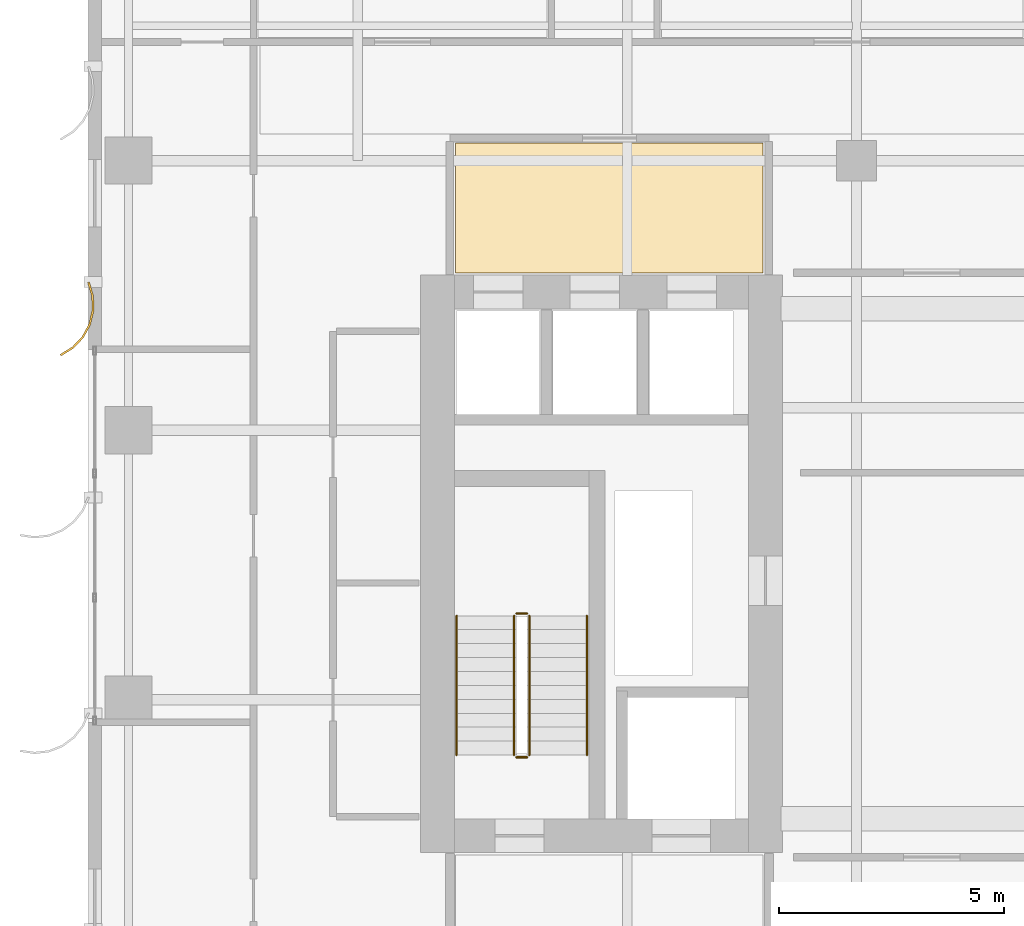
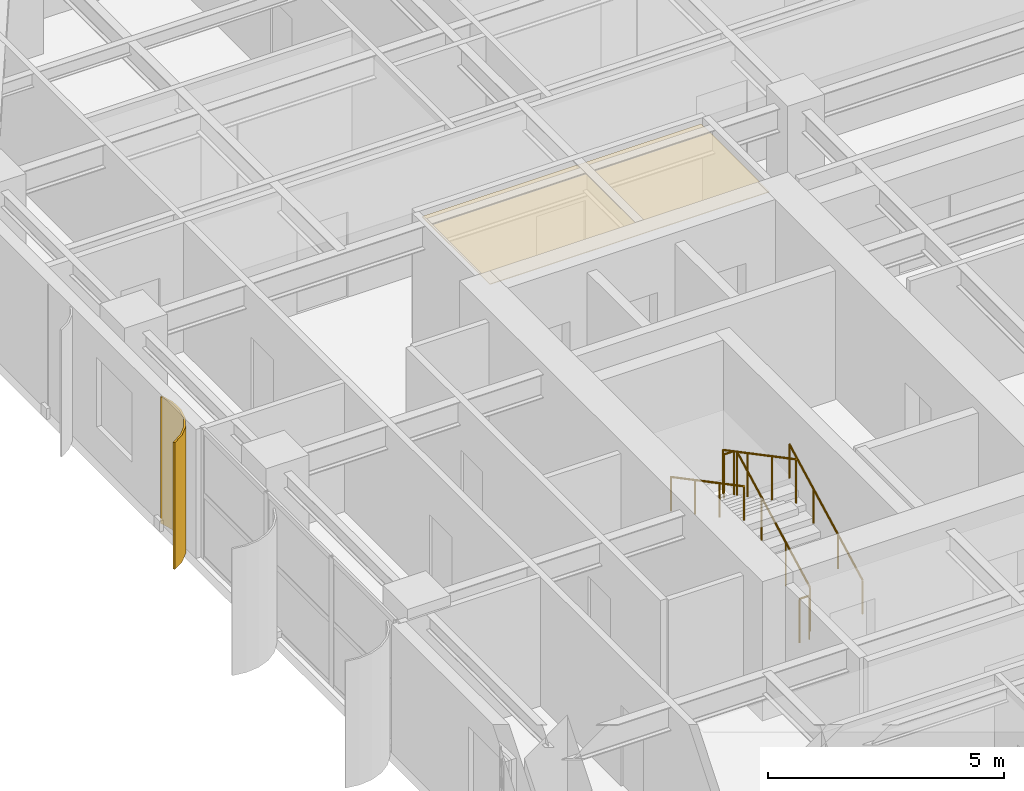
# One storey, part 20 of 22: 6 railings, 1 covering, 1 shading device.
"""IFC4 building model written with IfcOpenShell, lengths in metres."""

import ifcopenshell
import ifcopenshell.guid

model = None  # the IFC model being written
_history = None  # IfcOwnerHistory: only IFC2X3 demands one
_inside = {}  # id of a spatial element -> (the spatial element, [elements in it])
_under = {}  # id of a project, library or spatial element -> (it, [spatial elements below it])
_declared = {}  # id of a project -> (the project, [libraries it declares])
_typed = {}  # id of a type object -> (the type object, [elements of that type])
_made_of = {}  # id of a material, layer set ... -> (it, [elements and type objects made of it])


def new_model(schema):
    """Start an empty IFC model of exactly this schema.

    Asked for "IFC4X3", IfcOpenShell would pick the latest addendum, in which some entities
    have other attributes; the version numbers below select the first issue.
    IFC2X3 requires an IfcOwnerHistory on every rooted entity: one is made here for all.
    """
    global model, _history
    if schema == "IFC4X3":
        model = ifcopenshell.file(schema_version=(4, 3, 0, 0))
    else:
        model = ifcopenshell.file(schema=schema)
    _inside.clear()
    _under.clear()
    _declared.clear()
    _typed.clear()
    _made_of.clear()
    _history = None
    if model.schema == "IFC2X3":
        org = make("IfcOrganization", Name="unknown")
        user = make(
            "IfcPersonAndOrganization",
            ThePerson=make("IfcPerson", FamilyName="unknown"),
            TheOrganization=org,
        )
        app = make(
            "IfcApplication",
            ApplicationDeveloper=org,
            Version="unknown",
            ApplicationFullName="unknown",
            ApplicationIdentifier="unknown",
        )
        _history = make(
            "IfcOwnerHistory",
            OwningUser=user,
            OwningApplication=app,
            ChangeAction="ADDED",
            CreationDate=0,
        )
    return model


def make(cls, **values):
    """One entity of the class cls with the attributes given. An attribute that is None is left unset."""
    return model.create_entity(
        cls, **{name: value for name, value in values.items() if value is not None}
    )


def rooted(cls, **values):
    """An entity with a GlobalId (a new one), such as an element, a storey or a relation."""
    return make(cls, GlobalId=ifcopenshell.guid.new(), OwnerHistory=_history, **values)


def si_unit(unit_type, name, prefix=None):
    """IfcSIUnit, for example si_unit("LENGTHUNIT", "METRE", prefix="MILLI")."""
    return make("IfcSIUnit", UnitType=unit_type, Prefix=prefix, Name=name)


def assignment(units):
    """IfcUnitAssignment: the units of a project."""
    return None if units is None else make("IfcUnitAssignment", Units=units)


def point(xyz):
    """IfcCartesianPoint."""
    return None if xyz is None else make("IfcCartesianPoint", Coordinates=xyz)


def direction(xyz):
    """IfcDirection."""
    return None if xyz is None else make("IfcDirection", DirectionRatios=xyz)


def frame(location, z_axis=None, x_axis=None):
    """IfcAxis2Placement3D, a coordinate frame: its origin and axes. An axis left out is left unset."""
    return make(
        "IfcAxis2Placement3D",
        Location=point(location),
        Axis=direction(z_axis),
        RefDirection=direction(x_axis),
    )


def frame_2d(location, x_axis=None):
    """IfcAxis2Placement2D, a coordinate frame in the plane: its origin and x axis."""
    return make(
        "IfcAxis2Placement2D", Location=point(location), RefDirection=direction(x_axis)
    )


def origin():
    """The frame at (0, 0, 0) with its axes left unset."""
    return frame((0.0, 0.0, 0.0))


def origin_2d():
    """The frame at (0, 0) in the plane with its x axis left unset."""
    return frame_2d((0.0, 0.0))


def place(relative_to, where):
    """IfcLocalPlacement: puts the frame where relative to a parent placement (None: the world)."""
    return make(
        "IfcLocalPlacement", PlacementRelTo=relative_to, RelativePlacement=where
    )


def context(
    kind, dimensions, precision=None, world=None, true_north=None, identifier=None
):
    """IfcGeometricRepresentationContext, for example the 3D "Model" context."""
    return make(
        "IfcGeometricRepresentationContext",
        ContextIdentifier=identifier,
        ContextType=kind,
        CoordinateSpaceDimension=dimensions,
        Precision=precision,
        WorldCoordinateSystem=world,
        TrueNorth=true_north,
    )


def subcontext(parent, identifier, kind, view, scale=None):
    """IfcGeometricRepresentationSubContext, for example "Body" below "Model"."""
    return make(
        "IfcGeometricRepresentationSubContext",
        ContextIdentifier=identifier,
        ContextType=kind,
        ParentContext=parent,
        TargetScale=scale,
        TargetView=view,
    )


def project(units=None, contexts=None):
    """IfcProject with its units and contexts."""
    return rooted(
        "IfcProject",
        Name="project",
        RepresentationContexts=contexts,
        UnitsInContext=assignment(units),
    )


def spatial(cls, under=None, at=None, **own):
    """A site, building, storey or space (cls), placed at a placement, below another one or the project."""
    s = rooted(cls, ObjectPlacement=at, **own)
    if under is not None:
        _under.setdefault(under.id(), (under, []))[1].append(s)
    return s


def polyline(points):
    """IfcPolyline through the points."""
    return make("IfcPolyline", Points=[point(p) for p in points])


def profile(cls, at=None, kind="AREA", **sizes):
    """A parametric profile (cls). Its sizes go by their IFC names, for example OverallWidth=200.0."""
    return make(cls, ProfileType=kind, Position=at, **sizes)


def circle(**sizes):
    """IfcCircleProfileDef."""
    return profile("IfcCircleProfileDef", **sizes)


def outline(outer, holes=None, kind="AREA"):
    """IfcArbitraryClosedProfileDef: a profile drawn as a closed curve; with holes, ...WithVoids."""
    if holes is None:
        return make("IfcArbitraryClosedProfileDef", ProfileType=kind, OuterCurve=outer)
    return make(
        "IfcArbitraryProfileDefWithVoids",
        ProfileType=kind,
        OuterCurve=outer,
        InnerCurves=holes,
    )


def extrude(swept, where, along, depth):
    """IfcExtrudedAreaSolid: the profile swept, set in the frame where, extruded along a direction by depth."""
    return make(
        "IfcExtrudedAreaSolid",
        SweptArea=swept,
        Position=where,
        ExtrudedDirection=direction(along),
        Depth=depth,
    )


def shape(context_of_items, identifier, shape_type, items):
    """IfcShapeRepresentation: the items that make up one representation, for example the "Body"."""
    return make(
        "IfcShapeRepresentation",
        ContextOfItems=context_of_items,
        RepresentationIdentifier=identifier,
        RepresentationType=shape_type,
        Items=items,
    )


def source(mapping_origin, context_of_items, identifier, shape_type, items):
    """IfcRepresentationMap: a shape defined once, which mapped items show again and again."""
    return make(
        "IfcRepresentationMap",
        MappingOrigin=mapping_origin,
        MappedRepresentation=shape(context_of_items, identifier, shape_type, items),
    )


def transform(
    local_origin,
    x_axis=None,
    y_axis=None,
    z_axis=None,
    scale=None,
    scale2=None,
    scale3=None,
    uniform=True,
):
    """IfcCartesianTransformationOperator3D, or its non-uniform kind. x_axis, y_axis, z_axis: its Axis1, 2, 3."""
    if uniform:
        return make(
            "IfcCartesianTransformationOperator3D",
            Axis1=direction(x_axis),
            Axis2=direction(y_axis),
            LocalOrigin=point(local_origin),
            Scale=scale,
            Axis3=direction(z_axis),
        )
    return make(
        "IfcCartesianTransformationOperator3DnonUniform",
        Axis1=direction(x_axis),
        Axis2=direction(y_axis),
        LocalOrigin=point(local_origin),
        Scale=scale,
        Axis3=direction(z_axis),
        Scale2=scale2,
        Scale3=scale3,
    )


def mapped(mapping_source, mapping_target):
    """IfcMappedItem: shows the shape of a source again, moved by a transform."""
    return make(
        "IfcMappedItem", MappingSource=mapping_source, MappingTarget=mapping_target
    )


def material(Name=None, Category=None):
    """IfcMaterial."""
    return make("IfcMaterial", Name=Name, Category=Category)


def layer(
    of_material, thickness, ventilated=None, Name=None, Category=None, Priority=None
):
    """IfcMaterialLayer: one layer of a wall or slab, of a material (None: an air gap)."""
    return make(
        "IfcMaterialLayer",
        Material=of_material,
        LayerThickness=thickness,
        IsVentilated=ventilated,
        Name=Name,
        Category=Category,
        Priority=Priority,
    )


def layer_set(layers, Name=None):
    """IfcMaterialLayerSet."""
    return make("IfcMaterialLayerSet", MaterialLayers=layers, LayerSetName=Name)


def made_of(thing, what):
    """Note that an element or type object is made of a material, layer set ...; save() writes the relation."""
    if what is not None:
        _made_of.setdefault(what.id(), (what, []))[1].append(thing)
    return thing


def type_object(cls, material=None, **own):
    """A type object (cls), such as IfcWallType, which elements share."""
    return made_of(rooted(cls, **own), material)


def element(
    cls,
    number,
    at=None,
    inside=None,
    cuts=None,
    type_object=None,
    material=None,
    context=None,
    identifier="Body",
    shape_type=None,
    held_by="IfcProductDefinitionShape",
    body=None,
    shapes=None,
    **own,
):
    """One element of the class cls, such as IfcWall. Its Tag is "e" and its number.

    at: its placement. inside: the storey or other place that contains it. cuts: it is an
    opening in that element (IfcRelVoidsElement). A single representation is given by context,
    identifier, shape_type and body (its items); several are given by shapes. held_by: the class
    of the entity that holds the representations. save() writes the other relations.
    """
    e = rooted(cls, Tag="e%d" % number, ObjectPlacement=at, **own)
    if body is not None:
        shapes = [shape(context, identifier, shape_type, body)]
    if shapes is not None:
        e.Representation = make(held_by, Representations=shapes)
    if inside is not None:
        _inside.setdefault(inside.id(), (inside, []))[1].append(e)
    if cuts is not None:
        rooted(
            "IfcRelVoidsElement", RelatingBuildingElement=cuts, RelatedOpeningElement=e
        )
    if type_object is not None:
        _typed.setdefault(type_object.id(), (type_object, []))[1].append(e)
    return made_of(e, material)


def aggregate(whole, parts):
    """IfcRelAggregates: a whole, such as a stair, and the parts it consists of."""
    return rooted("IfcRelAggregates", RelatingObject=whole, RelatedObjects=parts)


def save(model, path):
    """Write the relations noted so far, then the file.

    IfcRelAggregates (storeys below a building ...), IfcRelContainedInSpatialStructure (elements
    in a storey), IfcRelDefinesByType, IfcRelAssociatesMaterial and IfcRelDeclares: one each for
    every whole, place, type object, material and project.
    """
    for whole, parts in _under.values():
        aggregate(whole, parts)
    for where, things in _inside.values():
        rooted(
            "IfcRelContainedInSpatialStructure",
            RelatedElements=things,
            RelatingStructure=where,
        )
    for kind, things in _typed.values():
        rooted("IfcRelDefinesByType", RelatedObjects=things, RelatingType=kind)
    for what, things in _made_of.values():
        rooted("IfcRelAssociatesMaterial", RelatedObjects=things, RelatingMaterial=what)
    for by, libraries in _declared.values():
        rooted("IfcRelDeclares", RelatingContext=by, RelatedDefinitions=libraries)
    model.write(path)


model = new_model("IFC4")

# Units and contexts
model_context = context("Model", 3, precision=1e-05, world=origin(), true_north=direction((0.0, 1.0)))
body_context = subcontext(model_context, "Body", "Model", "MODEL_VIEW")
ifc_project = project(units=[si_unit("LENGTHUNIT", "METRE"), si_unit("AREAUNIT", "SQUARE_METRE"), si_unit("VOLUMEUNIT", "CUBIC_METRE"), si_unit("PLANEANGLEUNIT", "RADIAN"), si_unit("MASSUNIT", "GRAM", prefix="KILO")], contexts=[model_context])

# Site, building, storey
site_placement = place(None, origin())
site = spatial("IfcSite", under=ifc_project, at=site_placement, CompositionType="ELEMENT")
building_placement = place(site_placement, origin())
building = spatial("IfcBuilding", under=site, at=building_placement, Name="Khoralis Quay Care Tower", CompositionType="ELEMENT")
storey_placement = place(building_placement, frame((0.0, 0.0, 101.699951171875)))
storey = spatial("IfcBuildingStorey", under=building, at=storey_placement, Name="L26", CompositionType="ELEMENT", Elevation=101.699951171875)

# Covering
ifc_material_1 = material(Name="Mineral-fibre acoustic ceiling tile")
ifc_layer_1 = layer(ifc_material_1, 0.01806640625)
ifc_layer_set_1 = layer_set([ifc_layer_1], Name="Mineral-fibre acoustic ceiling tile")
covering_type = type_object("IfcCoveringType", Name="COV-CEIL-AC18", PredefinedType="CEILING", material=ifc_layer_set_1)
covering_placement = place(storey_placement, frame((0.0, 0.0, 3.192138671875)))
element("IfcCovering", 1, at=covering_placement, inside=storey, type_object=covering_type, Name="Suspended Acoustic Ceiling SP-L26-LLOB-W", PredefinedType="CEILING", context=body_context, shape_type="SweptSolid", body=[
    extrude(outline(polyline([(8.179931640625, 27.5), (15.02001953125, 27.5), (15.02001953125, 30.389892578125), (8.179931640625, 30.389892578125), (8.179931640625, 27.5)])), origin(), (0.0, 0.0, 1.0), 0.017822265625),
])

# Railings
ifc_material_2 = material(Name="Brushed stainless steel", Category="steel")
railing_type_1 = type_object("IfcRailingType", Name="RL-GUARD-1150", PredefinedType="GUARDRAIL", material=ifc_material_2)
railing_1_placement = place(storey_placement, frame((9.820068359375, 16.77001953125, 0.16357421875)))
element("IfcRailing", 2, at=railing_1_placement, inside=storey, type_object=railing_type_1, Name="L26 ST-T1 stair guard 1", PredefinedType="GUARDRAIL", context=body_context, shape_type="SweptSolid", body=[
    extrude(circle(Radius=0.02392578125, at=origin_2d()), frame((0.0, 0.0, 1.1259765625), z_axis=(0.0, 0.884348015382, 0.466828220752), x_axis=(-1.0, 0.0, 0.0)), (0.0, 0.0, 1.0), 3.505615234375),
    extrude(circle(Radius=0.02099609375, at=origin_2d()), origin(), (0.0, 0.0, 1.0), 1.101806640625),
    extrude(circle(Radius=0.02099609375, at=origin_2d()), frame((0.0, 1.033447265625, 0.54541015625)), (0.0, 0.0, 1.0), 1.101806640625),
    extrude(circle(Radius=0.02099609375, at=origin_2d()), frame((0.0, 2.066650390625, 1.091064453125)), (0.0, 0.0, 1.0), 1.101806640625),
    extrude(circle(Radius=0.02099609375, at=origin_2d()), frame((0.0, 3.10009765625, 1.636474609375)), (0.0, 0.0, 1.0), 1.101806640625),
])
railing_2_placement = place(storey_placement, frame((9.77001953125, 19.919921875, 1.800048828125)))
element("IfcRailing", 3, at=railing_2_placement, inside=storey, type_object=railing_type_1, Name="L26 ST-T1 stair guard 2", PredefinedType="GUARDRAIL", context=body_context, shape_type="SweptSolid", body=[
    extrude(circle(Radius=0.02392578125, at=origin_2d()), frame((0.0, 0.0, 1.1259765625), z_axis=(-1.0, 0.0, 0.0), x_axis=(0.0, -1.0, 0.0)), (0.0, 0.0, 1.0), 0.239990234375),
    extrude(circle(Radius=0.02099609375, at=origin_2d()), origin(), (0.0, 0.0, 1.0), 1.101806640625),
    extrude(circle(Radius=0.02099609375, at=origin_2d()), frame((-0.239990234375, 0.0, 0.0)), (0.0, 0.0, 1.0), 1.101806640625),
])
railing_3_placement = place(storey_placement, frame((9.47998046875, 19.8701171875, 1.963623046875)))
element("IfcRailing", 4, at=railing_3_placement, inside=storey, type_object=railing_type_1, Name="L26 ST-T1 stair guard 3", PredefinedType="GUARDRAIL", context=body_context, shape_type="SweptSolid", body=[
    extrude(circle(Radius=0.02392578125, at=origin_2d()), frame((0.0, 0.0, 1.1259765625), z_axis=(0.0, -0.884348015382, 0.466828220752), x_axis=(1.0, 0.0, 0.0)), (0.0, 0.0, 1.0), 3.505615234375),
    extrude(circle(Radius=0.02099609375, at=origin_2d()), origin(), (0.0, 0.0, 1.0), 1.101806640625),
    extrude(circle(Radius=0.02099609375, at=origin_2d()), frame((0.0, -1.033447265625, 0.54541015625)), (0.0, 0.0, 1.0), 1.101806640625),
    extrude(circle(Radius=0.02099609375, at=origin_2d()), frame((0.0, -2.066650390625, 1.091064453125)), (0.0, 0.0, 1.0), 1.101806640625),
    extrude(circle(Radius=0.02099609375, at=origin_2d()), frame((0.0, -3.10009765625, 1.636474609375)), (0.0, 0.0, 1.0), 1.101806640625),
])
railing_4_placement = place(storey_placement, frame((9.77001953125, 16.719970703125, 0.0)))
element("IfcRailing", 5, at=railing_4_placement, inside=storey, type_object=railing_type_1, Name="L26 ST-T1 stair guard 4", PredefinedType="GUARDRAIL", context=body_context, shape_type="SweptSolid", body=[
    extrude(circle(Radius=0.02392578125, at=origin_2d()), frame((0.0, 0.0, 1.1259765625), z_axis=(-1.0, 0.0, 0.0), x_axis=(0.0, -1.0, 0.0)), (0.0, 0.0, 1.0), 0.239990234375),
    extrude(circle(Radius=0.02099609375, at=origin_2d()), origin(), (0.0, 0.0, 1.0), 1.101806640625),
    extrude(circle(Radius=0.02099609375, at=origin_2d()), frame((-0.239990234375, 0.0, 0.0)), (0.0, 0.0, 1.0), 1.101806640625),
])
railing_type_2 = type_object("IfcRailingType", Name="RL-HAND-900", PredefinedType="HANDRAIL", material=ifc_material_2)
railing_5_placement = place(storey_placement, frame((11.10009765625, 16.77001953125, 0.16357421875)))
element("IfcRailing", 6, at=railing_5_placement, inside=storey, type_object=railing_type_2, Name="L26 ST-T1 stair handrail 1", PredefinedType="HANDRAIL", context=body_context, shape_type="SweptSolid", body=[
    extrude(circle(Radius=0.02392578125, at=origin_2d()), frame((0.0, 0.0, 0.8759765625), z_axis=(0.0, 0.884348015382, 0.466828220752), x_axis=(-1.0, 0.0, 0.0)), (0.0, 0.0, 1.0), 3.505615234375),
    extrude(circle(Radius=0.02099609375, at=origin_2d()), origin(), (0.0, 0.0, 1.0), 0.851806640625),
    extrude(circle(Radius=0.02099609375, at=origin_2d()), frame((0.0, 1.033447265625, 0.54541015625)), (0.0, 0.0, 1.0), 0.851806640625),
    extrude(circle(Radius=0.02099609375, at=origin_2d()), frame((0.0, 2.066650390625, 1.091064453125)), (0.0, 0.0, 1.0), 0.851806640625),
    extrude(circle(Radius=0.02099609375, at=origin_2d()), frame((0.0, 3.10009765625, 1.636474609375)), (0.0, 0.0, 1.0), 0.851806640625),
])
railing_6_placement = place(storey_placement, frame((8.199951171875, 19.8701171875, 1.963623046875)))
element("IfcRailing", 7, at=railing_6_placement, inside=storey, type_object=railing_type_2, Name="L26 ST-T1 stair handrail 2", PredefinedType="HANDRAIL", context=body_context, shape_type="SweptSolid", body=[
    extrude(circle(Radius=0.02392578125, at=origin_2d()), frame((0.0, 0.0, 0.8759765625), z_axis=(0.0, -0.884348015382, 0.466828220752), x_axis=(1.0, 0.0, 0.0)), (0.0, 0.0, 1.0), 3.505615234375),
    extrude(circle(Radius=0.02099609375, at=origin_2d()), origin(), (0.0, 0.0, 1.0), 0.851806640625),
    extrude(circle(Radius=0.02099609375, at=origin_2d()), frame((0.0, -1.033447265625, 0.54541015625)), (0.0, 0.0, 1.0), 0.851806640625),
    extrude(circle(Radius=0.02099609375, at=origin_2d()), frame((0.0, -2.066650390625, 1.091064453125)), (0.0, 0.0, 1.0), 0.851806640625),
    extrude(circle(Radius=0.02099609375, at=origin_2d()), frame((0.0, -3.10009765625, 1.636474609375)), (0.0, 0.0, 1.0), 0.851806640625),
])

# Shading device
ifc_material_3 = material(Name="Brushed pale anodised aluminium", Category="aluminium")
ifc_layer_2 = layer(ifc_material_3, 0.044921875)
ifc_layer_set_2 = layer_set([ifc_layer_2], Name="Brushed pale anodised aluminium")
shading_device_type = type_object("IfcShadingDeviceType", Name="SHD-FIN-1250", PredefinedType="USERDEFINED", material=ifc_layer_set_2)
shared_shape = source(origin(), body_context, "Body", "SweptSolid", [
    extrude(outline(polyline([(0.0, 0.0), (-0.0927734375, 0.31298828125), (-0.101318359375, 0.63916015625), (-0.025146484375, 0.956298828125), (0.130615234375, 1.2431640625), (0.355224609375, 1.479736328125), (0.633544921875, 1.650390625), (0.65185546875, 1.609130859375), (0.383544921875, 1.44482421875), (0.1669921875, 1.216796875), (0.01708984375, 0.940185546875), (-0.056396484375, 0.63427734375), (-0.04833984375, 0.31982421875), (0.041015625, 0.018310546875), (0.0, 0.0)])), origin(), (0.0, 0.0, 1.0), 3.280029296875),
])
shading_device_placement = place(storey_placement, frame((0.030029296875, 27.300048828125, 0.02001953125), z_axis=(0.0, 0.0, 1.0), x_axis=(-1.0, 0.0, 0.0)))
element("IfcShadingDevice", 8, at=shading_device_placement, inside=storey, type_object=shading_device_type, Name="L26 Curved Solar Fin P1E15-03", ObjectType="FIN", PredefinedType="USERDEFINED", context=body_context, shape_type="MappedRepresentation", body=[
    mapped(shared_shape, transform((0.0, 0.0, 0.0), scale=1.0)),
])

save(model, "model.ifc")
